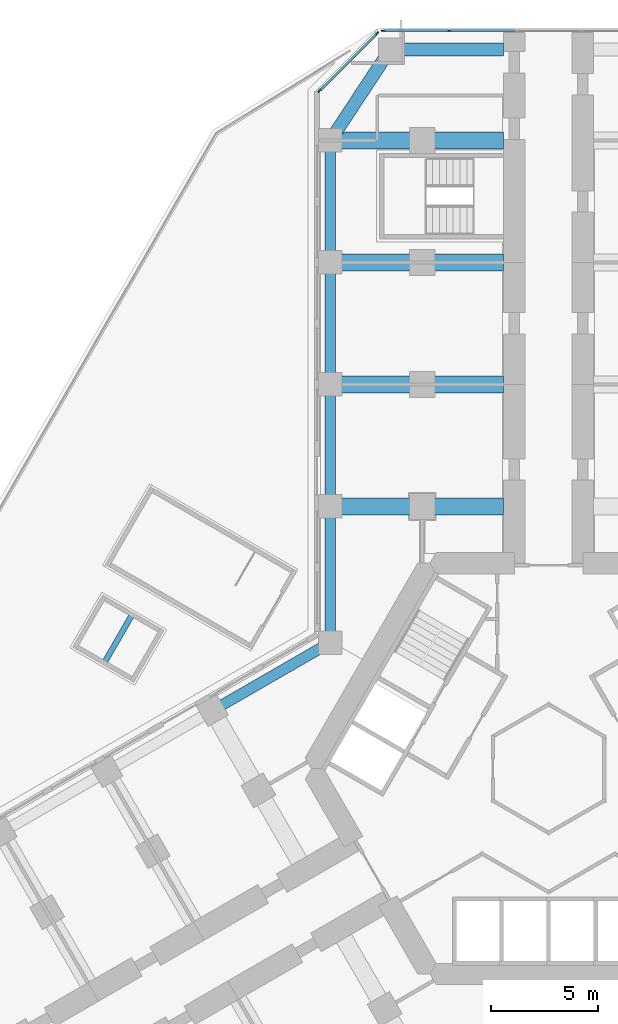
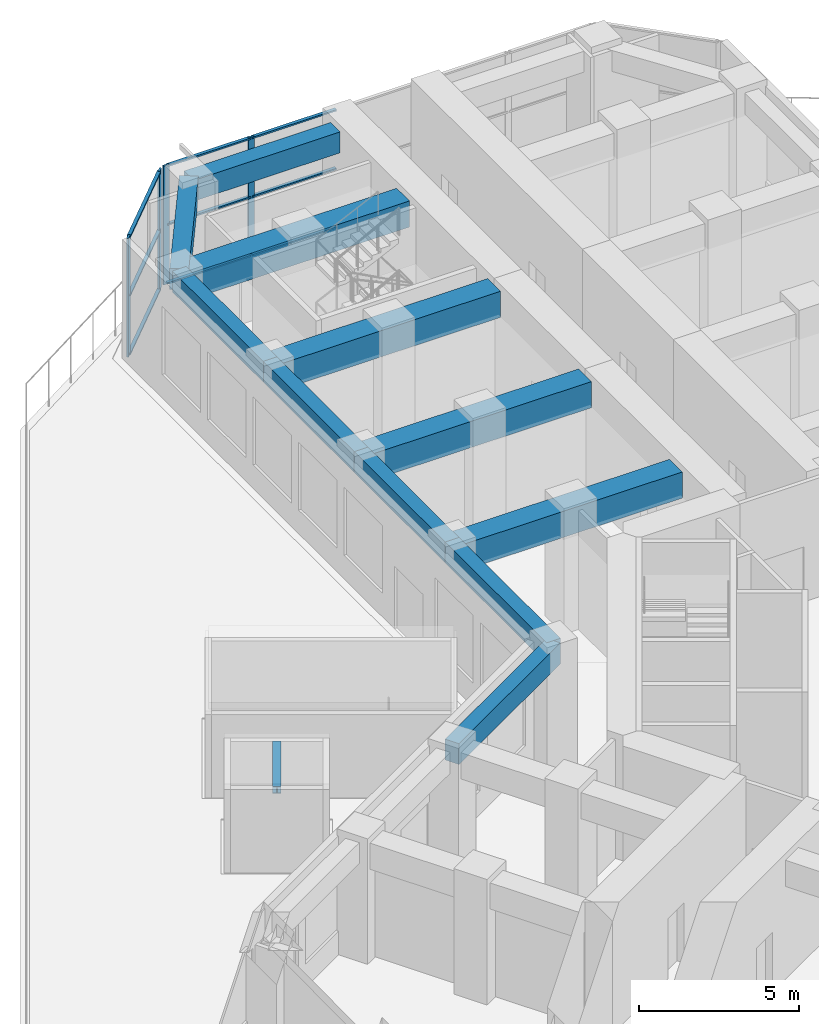
# One storey, part 5 of 18: 13 members, 12 beams, 2 elements without a shape of their own.
"""IFC4 building model written with IfcOpenShell, lengths in metres."""

from ifc_helpers import new_model, si_unit, direction, frame, origin, origin_2d, place, context, subcontext, project, spatial, rectangle, i_section, extrude, material, material_profile, profile_set, type_object, element, aggregate, save


model = new_model("IFC4")

# Units and contexts
model_context = context("Model", 3, precision=1e-05, world=origin(), true_north=direction((0.0, 1.0)))
body_context = subcontext(model_context, "Body", "Model", "MODEL_VIEW")
ifc_project = project(units=[si_unit("LENGTHUNIT", "METRE"), si_unit("AREAUNIT", "SQUARE_METRE"), si_unit("VOLUMEUNIT", "CUBIC_METRE"), si_unit("PLANEANGLEUNIT", "RADIAN"), si_unit("MASSUNIT", "GRAM", prefix="KILO")], contexts=[model_context])

# Site, building, storey
site_placement = place(None, origin())
site = spatial("IfcSite", under=ifc_project, at=site_placement, CompositionType="ELEMENT")
building_placement = place(site_placement, origin())
building = spatial("IfcBuilding", under=site, at=building_placement, Name="Kosmar Iwan School Tower", CompositionType="ELEMENT")
storey_placement = place(building_placement, frame((0.0, 0.0, 20.39990234375)))
storey = spatial("IfcBuildingStorey", under=building, at=storey_placement, Name="L04", CompositionType="ELEMENT", Elevation=20.39990234375)

# Beam
ifc_material_1 = material(Name="Steel S355", Category="steel")
ifc_material_profile_1 = material_profile(ifc_material_1, i_section(OverallWidth=0.260009765625, OverallDepth=0.260009765625, WebThickness=0.010009765625, FlangeThickness=0.017578125, FilletRadius=0.02392578125, at=origin_2d()), Name="HE 260 B")
ifc_profile_set_1 = profile_set([ifc_material_profile_1], Name="Steel S355")
beam_type_1 = type_object("IfcBeamType", Name="Lift lifting beam HE 260 B", PredefinedType="BEAM", material=ifc_profile_set_1)
beam_1_placement = place(storey_placement, frame((-19.485107421875, 7.150634765625, 3.070068359375), z_axis=(-0.500004234368, -0.866022959057, 0.0), x_axis=(0.866022959057, -0.500004234368, 0.0)))
element("IfcBeam", 1, at=beam_1_placement, inside=storey, type_object=beam_type_1, Name="Lift SL2 lifting beam", PredefinedType="BEAM", context=body_context, shape_type="SweptSolid", body=[
    extrude(i_section(OverallWidth=0.260009765625, OverallDepth=0.260009765625, WebThickness=0.010009765625, FlangeThickness=0.017578125, FilletRadius=0.02392578125, at=origin_2d()), origin(), (0.0, 0.0, 1.0), 2.5),
])

# Curtain wall, members
ifc_material_2 = material(Name="Dark glass in black aluminium frame", Category="aluminium")
curtain_wall_type_1 = type_object("IfcCurtainWallType", Name="Tower curtain wall dark glass", PredefinedType="USERDEFINED", material=ifc_material_2)
curtain_wall_1_placement = place(storey_placement, origin())
curtain_wall_1 = element("IfcCurtainWall", 2, at=curtain_wall_1_placement, inside=storey, type_object=curtain_wall_type_1, Name="Curtain wall L04-F08", ObjectType="UNITISED CURTAIN WALL", PredefinedType="USERDEFINED")
ifc_material_3 = material(Name="Black anodised aluminium", Category="aluminium")
ifc_material_profile_2 = material_profile(ifc_material_3, rectangle(XDim=0.06494140625, YDim=0.219970703125, at=origin_2d()), Name="MULLION 65x220")
ifc_profile_set_2 = profile_set([ifc_material_profile_2], Name="Black anodised aluminium")
member_type_1 = type_object("IfcMemberType", Name="Podium mullion 65x220", PredefinedType="MULLION", material=ifc_profile_set_2)
member_1_placement = place(storey_placement, frame((-4.64892578125, 34.47509765625, 0.0), z_axis=(0.0, 0.0, 1.0), x_axis=(0.0, -1.0, 0.0)))
member_1 = element("IfcMember", 3, at=member_1_placement, type_object=member_type_1, Name="CW1 mullion 5", PredefinedType="MULLION", context=body_context, shape_type="SweptSolid", body=[
    extrude(rectangle(XDim=0.06494140625, YDim=0.219970703125, at=origin_2d()), origin(), (0.0, 0.0, 1.0), 4.550048828125),
])
member_2_placement = place(storey_placement, frame((-7.7158203125, 34.47509765625, 0.0), z_axis=(0.0, 0.0, 1.0), x_axis=(0.0, -1.0, 0.0)))
member_2 = element("IfcMember", 4, at=member_2_placement, type_object=member_type_1, Name="CW1 mullion 6", PredefinedType="MULLION", context=body_context, shape_type="SweptSolid", body=[
    extrude(rectangle(XDim=0.06494140625, YDim=0.219970703125, at=origin_2d()), origin(), (0.0, 0.0, 1.0), 4.550048828125),
])

ifc_material_4 = material(Name="Dark glass in black aluminium frame", Category="aluminium")
curtain_wall_type_2 = type_object("IfcCurtainWallType", Name="Chamfer curtain wall dark glass", PredefinedType="USERDEFINED", material=ifc_material_4)
curtain_wall_2_placement = place(storey_placement, origin())
curtain_wall_2 = element("IfcCurtainWall", 5, at=curtain_wall_2_placement, inside=storey, type_object=curtain_wall_type_2, Name="Curtain wall L04-F09", ObjectType="FACETED CURTAIN WALL", PredefinedType="USERDEFINED")
member_3_placement = place(storey_placement, frame((-8.02734375, 34.345947265625, 0.0), z_axis=(0.0, 0.0, 1.0), x_axis=(0.707106781187, -0.707106781187, 0.0)))
member_3 = element("IfcMember", 6, at=member_3_placement, type_object=member_type_1, Name="CW2 mullion 1", PredefinedType="MULLION", context=body_context, shape_type="SweptSolid", body=[
    extrude(rectangle(XDim=0.06494140625, YDim=0.219970703125, at=origin_2d()), origin(), (0.0, 0.0, 1.0), 4.550048828125),
])
member_4_placement = place(storey_placement, frame((-10.696044921875, 31.67724609375, 0.0), z_axis=(0.0, 0.0, 1.0), x_axis=(0.707106781187, -0.707106781187, 0.0)))
member_4 = element("IfcMember", 7, at=member_4_placement, type_object=member_type_1, Name="CW2 mullion 2", PredefinedType="MULLION", context=body_context, shape_type="SweptSolid", body=[
    extrude(rectangle(XDim=0.06494140625, YDim=0.219970703125, at=origin_2d()), origin(), (0.0, 0.0, 1.0), 4.550048828125),
])

# Beams
ifc_material_5 = material(Name="Concrete C50/60", Category="concrete")
ifc_material_profile_3 = material_profile(ifc_material_5, rectangle(XDim=0.5, YDim=0.800048828125, at=origin_2d()), Name="RC 500x800")
ifc_profile_set_3 = profile_set([ifc_material_profile_3], Name="Concrete C50/60")
beam_type_2 = type_object("IfcBeamType", Name="RC edge beam 500x800", PredefinedType="BEAM", material=ifc_profile_set_3)
beam_2_placement = place(storey_placement, frame((-10.199951171875, 5.888916015625, 4.150146484375), z_axis=(0.0, 1.0, 0.0), x_axis=(-1.0, 0.0, 0.0)))
element("IfcBeam", 8, at=beam_2_placement, inside=storey, type_object=beam_type_2, Name="Edge beam AL1", PredefinedType="BEAM", context=body_context, shape_type="SweptSolid", body=[
    extrude(rectangle(XDim=0.5, YDim=0.800048828125, at=origin_2d()), origin(), (0.0, 0.0, 1.0), 6.361083984375),
])
for number, where, z_axis, x_axis, name in (
    (9, (-10.199951171875, 12.25, 4.150146484375), (0.0, 1.0, 0.0), (-1.0, 0.0, 0.0), "Edge beam AL2"),
    (10, (-10.199951171875, 17.949951171875, 4.150146484375), (0.0, 1.0, 0.0), (-1.0, 0.0, 0.0), "Edge beam AL3"),
):
    element("IfcBeam", number, at=place(storey_placement, frame(where, z_axis=z_axis, x_axis=x_axis)), inside=storey, type_object=beam_type_2, Name=name, PredefinedType="BEAM", context=body_context, shape_type="SweptSolid", body=[
        extrude(rectangle(XDim=0.5, YDim=0.800048828125, at=origin_2d()), origin(), (0.0, 0.0, 1.0), 5.699951171875),
    ])
beam_3_placement = place(storey_placement, frame((-10.199951171875, 23.64990234375, 4.150146484375), z_axis=(0.0, 1.0, 0.0), x_axis=(-1.0, 0.0, 0.0)))
element("IfcBeam", 11, at=beam_3_placement, inside=storey, type_object=beam_type_2, Name="Edge beam AL4", PredefinedType="BEAM", context=body_context, shape_type="SweptSolid", body=[
    extrude(rectangle(XDim=0.5, YDim=0.800048828125, at=origin_2d()), origin(), (0.0, 0.0, 1.0), 5.7001953125),
])
beam_4_placement = place(storey_placement, frame((-10.199951171875, 5.888916015625, 4.150146484375), z_axis=(-0.866030912664, -0.49999045822, 0.0), x_axis=(0.49999045822, -0.866030912664, 0.0)))
element("IfcBeam", 12, at=beam_4_placement, inside=storey, type_object=beam_type_2, Name="Edge beam BR1", PredefinedType="BEAM", context=body_context, shape_type="SweptSolid", body=[
    extrude(rectangle(XDim=0.5, YDim=0.800048828125, at=origin_2d()), origin(), (0.0, 0.0, 1.0), 6.36083984375),
])
ifc_material_6 = material(Name="Concrete C50/60", Category="concrete")
ifc_material_profile_4 = material_profile(ifc_material_6, rectangle(XDim=0.60009765625, YDim=0.800048828125, at=origin_2d()), Name="RC 600x800")
ifc_profile_set_4 = profile_set([ifc_material_profile_4], Name="Concrete C50/60")
beam_type_3 = type_object("IfcBeamType", Name="RC tip beam 600x800", PredefinedType="BEAM", material=ifc_profile_set_4)
beam_5_placement = place(storey_placement, frame((-10.199951171875, 29.35009765625, 4.150146484375), z_axis=(0.550164383043, 0.835056376319, 0.0), x_axis=(-0.835056376319, 0.550164383043, 0.0)))
element("IfcBeam", 13, at=beam_5_placement, inside=storey, type_object=beam_type_3, Name="Tip beam AL", PredefinedType="BEAM", context=body_context, shape_type="SweptSolid", body=[
    extrude(rectangle(XDim=0.60009765625, YDim=0.800048828125, at=origin_2d()), origin(), (0.0, 0.0, 1.0), 5.08935546875),
])
beam_6_placement = place(storey_placement, frame((-7.39990234375, 33.60009765625, 4.150146484375), z_axis=(1.0, 0.0, 0.0), x_axis=(0.0, 1.0, 0.0)))
element("IfcBeam", 14, at=beam_6_placement, inside=storey, type_object=beam_type_3, Name="Tip beam AL to corridor wall", PredefinedType="BEAM", context=body_context, shape_type="SweptSolid", body=[
    extrude(rectangle(XDim=0.60009765625, YDim=0.800048828125, at=origin_2d()), origin(), (0.0, 0.0, 1.0), 5.2998046875),
])
ifc_material_7 = material(Name="Concrete C50/60", Category="concrete")
ifc_material_profile_5 = material_profile(ifc_material_7, rectangle(XDim=0.800048828125, YDim=1.0, at=origin_2d()), Name="RC 800x1000")
ifc_profile_set_5 = profile_set([ifc_material_profile_5], Name="Concrete C50/60")
beam_type_4 = type_object("IfcBeamType", Name="RC transverse beam 800x1000", PredefinedType="BEAM", material=ifc_profile_set_5)
for number, where, z_axis, x_axis, name in (
    (15, (-10.199951171875, 12.25, 4.050048828125), (1.0, 0.0, 0.0), (0.0, 1.0, 0.0), "Transverse beam AL1"),
    (16, (-10.199951171875, 17.949951171875, 4.050048828125), (1.0, 0.0, 0.0), (0.0, 1.0, 0.0), "Transverse beam AL2"),
    (17, (-10.199951171875, 23.64990234375, 4.050048828125), (1.0, 0.0, 0.0), (0.0, 1.0, 0.0), "Transverse beam AL3"),
    (18, (-10.199951171875, 29.35009765625, 4.050048828125), (1.0, 0.0, 0.0), (0.0, 1.0, 0.0), "Transverse beam AL4"),
):
    element("IfcBeam", number, at=place(storey_placement, frame(where, z_axis=z_axis, x_axis=x_axis)), inside=storey, type_object=beam_type_4, Name=name, PredefinedType="BEAM", context=body_context, shape_type="SweptSolid", body=[
        extrude(rectangle(XDim=0.800048828125, YDim=1.0, at=origin_2d()), origin(), (0.0, 0.0, 1.0), 8.099853515625),
    ])

# Member
ifc_material_8 = material(Name="Black anodised aluminium", Category="aluminium")
ifc_material_profile_6 = material_profile(ifc_material_8, rectangle(XDim=0.1201171875, YDim=0.06005859375, at=origin_2d()), Name="TRANSOM 60x120")
ifc_profile_set_6 = profile_set([ifc_material_profile_6], Name="Black anodised aluminium")
member_type_2 = type_object("IfcMemberType", Name="Transom 60x120", PredefinedType="USERDEFINED", material=ifc_profile_set_6)
member_5_placement = place(storey_placement, frame((-1.58203125, 34.47509765625, 0.030029296875), z_axis=(-1.0, 0.0, 0.0), x_axis=(0.0, -1.0, 0.0)))
member_5 = element("IfcMember", 19, at=member_5_placement, type_object=member_type_2, Name="CW1 transom 4.1", ObjectType="TRANSOM", PredefinedType="USERDEFINED", context=body_context, shape_type="SweptSolid", body=[
    extrude(rectangle(XDim=0.1201171875, YDim=0.06005859375, at=origin_2d()), origin(), (0.0, 0.0, 1.0), 3.034423828125),
])

member_6_placement = place(storey_placement, frame((-1.58203125, 34.47509765625, 2.275146484375), z_axis=(-1.0, 0.0, 0.0), x_axis=(0.0, -1.0, 0.0)))
member_6 = element("IfcMember", 20, at=member_6_placement, type_object=member_type_2, Name="CW1 transom 4.2", ObjectType="TRANSOM", PredefinedType="USERDEFINED", context=body_context, shape_type="SweptSolid", body=[
    extrude(rectangle(XDim=0.1201171875, YDim=0.06005859375, at=origin_2d()), origin(), (0.0, 0.0, 1.0), 3.034423828125),
])

member_7_placement = place(storey_placement, frame((-1.58203125, 34.47509765625, 4.52001953125), z_axis=(-1.0, 0.0, 0.0), x_axis=(0.0, -1.0, 0.0)))
member_7 = element("IfcMember", 21, at=member_7_placement, type_object=member_type_2, Name="CW1 transom 4.3", ObjectType="TRANSOM", PredefinedType="USERDEFINED", context=body_context, shape_type="SweptSolid", body=[
    extrude(rectangle(XDim=0.1201171875, YDim=0.06005859375, at=origin_2d()), origin(), (0.0, 0.0, 1.0), 3.034423828125),
])

member_8_placement = place(storey_placement, frame((-4.681396484375, 34.47509765625, 0.030029296875), z_axis=(-1.0, 0.0, 0.0), x_axis=(0.0, -1.0, 0.0)))
member_8 = element("IfcMember", 22, at=member_8_placement, type_object=member_type_2, Name="CW1 transom 5.1", ObjectType="TRANSOM", PredefinedType="USERDEFINED", context=body_context, shape_type="SweptSolid", body=[
    extrude(rectangle(XDim=0.1201171875, YDim=0.06005859375, at=origin_2d()), origin(), (0.0, 0.0, 1.0), 3.001708984375),
])

member_9_placement = place(storey_placement, frame((-4.681396484375, 34.47509765625, 2.275146484375), z_axis=(-1.0, 0.0, 0.0), x_axis=(0.0, -1.0, 0.0)))
member_9 = element("IfcMember", 23, at=member_9_placement, type_object=member_type_2, Name="CW1 transom 5.2", ObjectType="TRANSOM", PredefinedType="USERDEFINED", context=body_context, shape_type="SweptSolid", body=[
    extrude(rectangle(XDim=0.1201171875, YDim=0.06005859375, at=origin_2d()), origin(), (0.0, 0.0, 1.0), 3.001708984375),
])

member_10_placement = place(storey_placement, frame((-4.681396484375, 34.47509765625, 4.52001953125), z_axis=(-1.0, 0.0, 0.0), x_axis=(0.0, -1.0, 0.0)))
member_10 = element("IfcMember", 24, at=member_10_placement, type_object=member_type_2, Name="CW1 transom 5.3", ObjectType="TRANSOM", PredefinedType="USERDEFINED", context=body_context, shape_type="SweptSolid", body=[
    extrude(rectangle(XDim=0.1201171875, YDim=0.06005859375, at=origin_2d()), origin(), (0.0, 0.0, 1.0), 3.001708984375),
])

aggregate(curtain_wall_1, [member_1, member_2, member_5, member_6, member_7, member_8, member_9, member_10])

member_11_placement = place(storey_placement, frame((-8.05029296875, 34.322998046875, 0.030029296875), z_axis=(-0.707073868772, -0.70713969207, 0.0), x_axis=(0.70713969207, -0.707073868772, 0.0)))
member_11 = element("IfcMember", 25, at=member_11_placement, type_object=member_type_2, Name="CW2 transom 1.1", ObjectType="TRANSOM", PredefinedType="USERDEFINED", context=body_context, shape_type="SweptSolid", body=[
    extrude(rectangle(XDim=0.1201171875, YDim=0.06005859375, at=origin_2d()), origin(), (0.0, 0.0, 1.0), 3.708984375),
])

member_12_placement = place(storey_placement, frame((-8.05029296875, 34.322998046875, 2.275146484375), z_axis=(-0.707073868772, -0.70713969207, 0.0), x_axis=(0.70713969207, -0.707073868772, 0.0)))
member_12 = element("IfcMember", 26, at=member_12_placement, type_object=member_type_2, Name="CW2 transom 1.2", ObjectType="TRANSOM", PredefinedType="USERDEFINED", context=body_context, shape_type="SweptSolid", body=[
    extrude(rectangle(XDim=0.1201171875, YDim=0.06005859375, at=origin_2d()), origin(), (0.0, 0.0, 1.0), 3.708984375),
])

member_13_placement = place(storey_placement, frame((-8.05029296875, 34.322998046875, 4.52001953125), z_axis=(-0.707073868772, -0.70713969207, 0.0), x_axis=(0.70713969207, -0.707073868772, 0.0)))
member_13 = element("IfcMember", 27, at=member_13_placement, type_object=member_type_2, Name="CW2 transom 1.3", ObjectType="TRANSOM", PredefinedType="USERDEFINED", context=body_context, shape_type="SweptSolid", body=[
    extrude(rectangle(XDim=0.1201171875, YDim=0.06005859375, at=origin_2d()), origin(), (0.0, 0.0, 1.0), 3.708984375),
])

aggregate(curtain_wall_2, [member_3, member_4, member_11, member_12, member_13])

save(model, "model.ifc")
